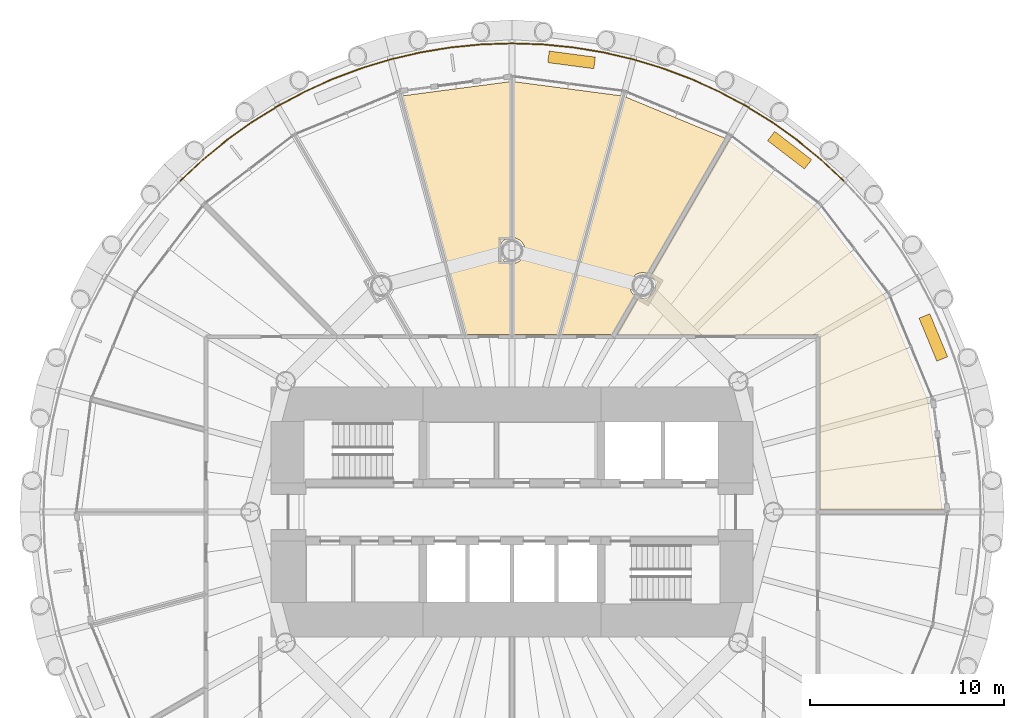
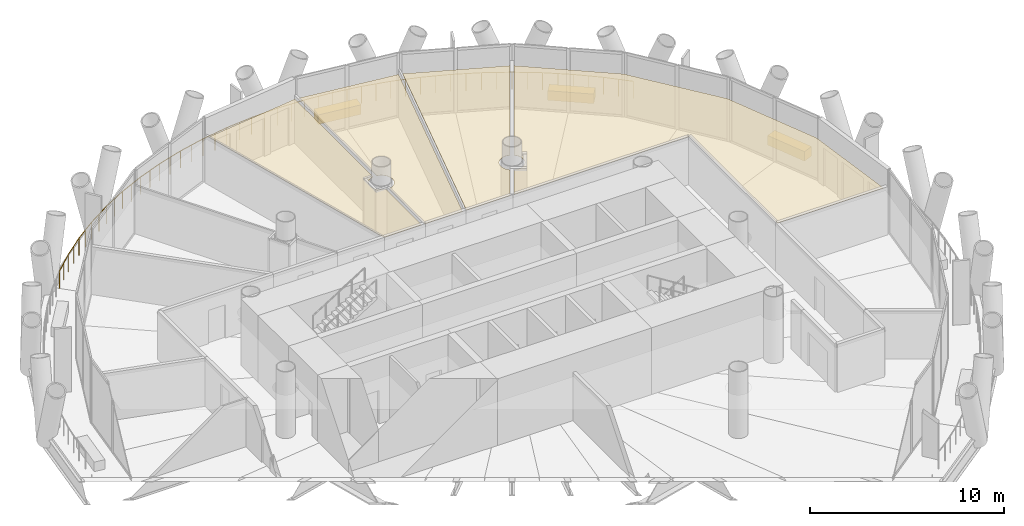
# One storey, part 15 of 15: 7 coverings, 1 railing.
"""IFC4 building model written with IfcOpenShell, lengths in metres."""

from ifc_helpers import new_model, si_unit, direction, frame, origin, origin_2d, place, context, subcontext, project, spatial, polyline, rectangle, circle, outline, extrude, material, layer, layer_set, type_object, element, save


model = new_model("IFC4")

# Units and contexts
model_context = context("Model", 3, precision=1e-05, world=origin(), true_north=direction((0.0, 1.0)))
body_context = subcontext(model_context, "Body", "Model", "MODEL_VIEW")
ifc_project = project(units=[si_unit("LENGTHUNIT", "METRE"), si_unit("AREAUNIT", "SQUARE_METRE"), si_unit("VOLUMEUNIT", "CUBIC_METRE"), si_unit("PLANEANGLEUNIT", "RADIAN"), si_unit("MASSUNIT", "GRAM", prefix="KILO")], contexts=[model_context])

# Site, building, storey
site_placement = place(None, origin())
site = spatial("IfcSite", under=ifc_project, at=site_placement, CompositionType="ELEMENT")
building_placement = place(site_placement, origin())
building = spatial("IfcBuilding", under=site, at=building_placement, Name="Qaws Media Tower", CompositionType="ELEMENT")
storey_placement = place(building_placement, frame((0.0, 0.0, 143.60009765625)))
storey = spatial("IfcBuildingStorey", under=building, at=storey_placement, Name="L32", CompositionType="ELEMENT", Elevation=143.60009765625)

# Covering
ifc_material_1 = material(Name="40 perforated acoustic panels with mineral wool backing, suspended", Category="mineral fibre")
ifc_layer_1 = layer(ifc_material_1, 0.0400390625)
ifc_layer_set_1 = layer_set([ifc_layer_1], Name="Acoustic panel ceiling 40")
covering_type_1 = type_object("IfcCoveringType", Name="Acoustic panel ceiling 40", PredefinedType="CEILING", material=ifc_layer_set_1)
covering_1_placement = place(storey_placement, frame((0.0, 0.0, 2.849853515625)))
element("IfcCovering", 1, at=covering_1_placement, inside=storey, type_object=covering_type_1, Name="CL3 ceiling L32-05 Meeting room", PredefinedType="CEILING", context=body_context, shape_type="SweptSolid", body=[
    extrude(outline(polyline([(59.887451171875, 72.220458984375), (59.887451171875, 64.1572265625), (59.8271484375, 64.145263671875), (59.744384765625, 64.1171875), (59.666015625, 64.07861328125), (59.59326171875, 64.030029296875), (59.527587890625, 63.972412109375), (59.469970703125, 63.90673828125), (59.42138671875, 63.833984375), (59.3828125, 63.755615234375), (59.354736328125, 63.6728515625), (59.337646484375, 63.587158203125), (59.33203125, 63.5), (59.337646484375, 63.412841796875), (59.354736328125, 63.3271484375), (59.3828125, 63.244384765625), (59.42138671875, 63.166015625), (59.469970703125, 63.09326171875), (59.527587890625, 63.027587890625), (59.59326171875, 62.969970703125), (59.666015625, 62.92138671875), (59.744384765625, 62.8828125), (59.8271484375, 62.854736328125), (59.887451171875, 62.8427734375), (59.887451171875, 59.16259765625), (57.661376953125, 59.16259765625), (54.357666015625, 71.492431640625), (59.887451171875, 72.220458984375)])), origin(), (0.0, 0.0, 1.0), 0.0400390625),
])

# Railing
ifc_material_2 = material(Name="Stainless steel and glass guard", Category="steel")
railing_type = type_object("IfcRailingType", Name="Balcony guard 1100", PredefinedType="GUARDRAIL", material=ifc_material_2)
railing_placement = place(storey_placement, frame((77.112060546875, 67.112060546875, 0.0)))
element("IfcRailing", 2, at=railing_placement, inside=storey, type_object=railing_type, Name="GR1 balcony guard L32-1", PredefinedType="GUARDRAIL", context=body_context, shape_type="SweptSolid", body=[
    extrude(circle(Radius=0.02392578125, at=origin_2d()), frame((0.0, 0.0, 1.076171875), z_axis=(-0.729926480872, 0.683525663397, 0.0), x_axis=(-0.683525663397, -0.729926480872, 0.0)), (0.0, 0.0, 1.0), 1.583740234375),
    extrude(circle(Radius=0.02392578125, at=origin_2d()), frame((-1.156005859375, 1.08251953125, 1.076171875), z_axis=(-0.773001642284, 0.634404020343, 0.0), x_axis=(-0.634404020343, -0.773001642284, 0.0)), (0.0, 0.0, 1.0), 1.58349609375),
    extrude(circle(Radius=0.02392578125, at=origin_2d()), frame((-2.380126953125, 2.087158203125, 1.076171875), z_axis=(-0.81283659414, 0.582491777819, 0.0), x_axis=(-0.582491777819, -0.81283659414, 0.0)), (0.0, 0.0, 1.0), 1.58349609375),
    extrude(circle(Radius=0.02392578125, at=origin_2d()), frame((-3.667236328125, 3.009521484375, 1.076171875), z_axis=(-0.849208715075, 0.528057343706, 0.0), x_axis=(-0.528057343706, -0.849208715075, 0.0)), (0.0, 0.0, 1.0), 1.58349609375),
    extrude(circle(Radius=0.02392578125, at=origin_2d()), frame((-5.011962890625, 3.845703125, 1.076171875), z_axis=(-0.881917304281, 0.471404145515, 0.0), x_axis=(-0.471404145515, -0.881917304281, 0.0)), (0.0, 0.0, 1.0), 1.583740234375),
    extrude(circle(Radius=0.02392578125, at=origin_2d()), frame((-6.40869140625, 4.59228515625, 1.076171875), z_axis=(-0.910856868467, 0.412722382682, 0.0), x_axis=(-0.412722382682, -0.910856868467, 0.0)), (0.0, 0.0, 1.0), 1.58349609375),
    extrude(circle(Radius=0.02392578125, at=origin_2d()), frame((-7.85107421875, 5.245849609375, 1.076171875), z_axis=(-0.935904026053, 0.35225509793, 0.0), x_axis=(-0.35225509793, -0.935904026053, 0.0)), (0.0, 0.0, 1.0), 1.583740234375),
    extrude(circle(Radius=0.02392578125, at=origin_2d()), frame((-9.333251953125, 5.8037109375, 1.076171875), z_axis=(-0.95693489086, 0.290302625985, 0.0), x_axis=(-0.290302625985, -0.95693489086, 0.0)), (0.0, 0.0, 1.0), 1.58349609375),
    extrude(circle(Radius=0.02392578125, at=origin_2d()), frame((-10.8486328125, 6.263427734375, 1.076171875), z_axis=(-0.973874177295, 0.227088279746, 0.0), x_axis=(-0.227088279746, -0.973874177295, 0.0)), (0.0, 0.0, 1.0), 1.58349609375),
    extrude(circle(Radius=0.02392578125, at=origin_2d()), frame((-12.390869140625, 6.623046875, 1.076171875), z_axis=(-0.986659290868, 0.162798782993, 0.0), x_axis=(-0.162798782993, -0.986659290868, 0.0)), (0.0, 0.0, 1.0), 1.583740234375),
    extrude(circle(Radius=0.02392578125, at=origin_2d()), frame((-13.953369140625, 6.880859375, 1.076171875), z_axis=(-0.995181146918, 0.098053479386, 0.0), x_axis=(-0.098053479386, -0.995181146918, 0.0)), (0.0, 0.0, 1.0), 1.58349609375),
    extrude(circle(Radius=0.02392578125, at=origin_2d()), frame((-15.529296875, 7.0361328125, 1.076171875), z_axis=(-0.999465753674, 0.032683439731, 0.0), x_axis=(-0.032683439731, -0.999465753674, 0.0)), (0.0, 0.0, 1.0), 1.58349609375),
    extrude(circle(Radius=0.02392578125, at=origin_2d()), frame((-17.112060546875, 7.087890625, 1.076171875), z_axis=(-0.999465753674, -0.032683439731, 0.0), x_axis=(0.032683439731, -0.999465753674, 0.0)), (0.0, 0.0, 1.0), 1.58349609375),
    extrude(circle(Radius=0.02392578125, at=origin_2d()), frame((-18.69482421875, 7.0361328125, 1.076171875), z_axis=(-0.995181146918, -0.098053479386, 0.0), x_axis=(0.098053479386, -0.995181146918, 0.0)), (0.0, 0.0, 1.0), 1.58349609375),
    extrude(circle(Radius=0.02392578125, at=origin_2d()), frame((-20.270751953125, 6.880859375, 1.076171875), z_axis=(-0.986659290868, -0.162798782993, 0.0), x_axis=(0.162798782993, -0.986659290868, 0.0)), (0.0, 0.0, 1.0), 1.583740234375),
    extrude(circle(Radius=0.02392578125, at=origin_2d()), frame((-21.833251953125, 6.623046875, 1.076171875), z_axis=(-0.973874177295, -0.227088279746, 0.0), x_axis=(0.227088279746, -0.973874177295, 0.0)), (0.0, 0.0, 1.0), 1.58349609375),
    extrude(circle(Radius=0.02392578125, at=origin_2d()), frame((-23.37548828125, 6.263427734375, 1.076171875), z_axis=(-0.95693489086, -0.290302625985, 0.0), x_axis=(0.290302625985, -0.95693489086, 0.0)), (0.0, 0.0, 1.0), 1.58349609375),
    extrude(circle(Radius=0.02392578125, at=origin_2d()), frame((-24.890869140625, 5.8037109375, 1.076171875), z_axis=(-0.935904026053, -0.35225509793, 0.0), x_axis=(0.35225509793, -0.935904026053, 0.0)), (0.0, 0.0, 1.0), 1.583740234375),
    extrude(circle(Radius=0.02392578125, at=origin_2d()), frame((-26.373046875, 5.245849609375, 1.076171875), z_axis=(-0.910856868467, -0.412722382682, 0.0), x_axis=(0.412722382682, -0.910856868467, 0.0)), (0.0, 0.0, 1.0), 1.58349609375),
    extrude(circle(Radius=0.02392578125, at=origin_2d()), frame((-27.8154296875, 4.59228515625, 1.076171875), z_axis=(-0.881917304281, -0.471404145515, 0.0), x_axis=(0.471404145515, -0.881917304281, 0.0)), (0.0, 0.0, 1.0), 1.583740234375),
    extrude(circle(Radius=0.02392578125, at=origin_2d()), frame((-29.212158203125, 3.845703125, 1.076171875), z_axis=(-0.849208715075, -0.528057343706, 0.0), x_axis=(0.528057343706, -0.849208715075, 0.0)), (0.0, 0.0, 1.0), 1.58349609375),
    extrude(circle(Radius=0.02392578125, at=origin_2d()), frame((-30.556884765625, 3.009521484375, 1.076171875), z_axis=(-0.81283659414, -0.582491777819, 0.0), x_axis=(0.582491777819, -0.81283659414, 0.0)), (0.0, 0.0, 1.0), 1.58349609375),
    extrude(circle(Radius=0.02392578125, at=origin_2d()), frame((-31.843994140625, 2.087158203125, 1.076171875), z_axis=(-0.773001642284, -0.634404020343, 0.0), x_axis=(0.634404020343, -0.773001642284, 0.0)), (0.0, 0.0, 1.0), 1.58349609375),
    extrude(circle(Radius=0.02392578125, at=origin_2d()), frame((-33.068115234375, 1.08251953125, 1.076171875), z_axis=(-0.729926480872, -0.683525663397, 0.0), x_axis=(0.683525663397, -0.729926480872, 0.0)), (0.0, 0.0, 1.0), 1.583740234375),
    extrude(circle(Radius=0.02099609375, at=origin_2d()), origin(), (0.0, 0.0, 1.0), 1.052001953125),
    extrude(circle(Radius=0.02099609375, at=origin_2d()), frame((-0.578125, 0.541259765625, 0.0)), (0.0, 0.0, 1.0), 1.052001953125),
    extrude(circle(Radius=0.02099609375, at=origin_2d()), frame((-1.156005859375, 1.08251953125, 0.0)), (0.0, 0.0, 1.0), 1.052001953125),
    extrude(circle(Radius=0.02099609375, at=origin_2d()), frame((-1.76806640625, 1.5849609375, 0.0)), (0.0, 0.0, 1.0), 1.052001953125),
    extrude(circle(Radius=0.02099609375, at=origin_2d()), frame((-2.380126953125, 2.087158203125, 0.0)), (0.0, 0.0, 1.0), 1.052001953125),
    extrude(circle(Radius=0.02099609375, at=origin_2d()), frame((-3.023681640625, 2.54833984375, 0.0)), (0.0, 0.0, 1.0), 1.052001953125),
    extrude(circle(Radius=0.02099609375, at=origin_2d()), frame((-3.667236328125, 3.009521484375, 0.0)), (0.0, 0.0, 1.0), 1.052001953125),
    extrude(circle(Radius=0.02099609375, at=origin_2d()), frame((-4.339599609375, 3.427734375, 0.0)), (0.0, 0.0, 1.0), 1.052001953125),
    extrude(circle(Radius=0.02099609375, at=origin_2d()), frame((-5.011962890625, 3.845703125, 0.0)), (0.0, 0.0, 1.0), 1.052001953125),
    extrude(circle(Radius=0.02099609375, at=origin_2d()), frame((-5.71044921875, 4.218994140625, 0.0)), (0.0, 0.0, 1.0), 1.052001953125),
    extrude(circle(Radius=0.02099609375, at=origin_2d()), frame((-6.40869140625, 4.59228515625, 0.0)), (0.0, 0.0, 1.0), 1.052001953125),
    extrude(circle(Radius=0.02099609375, at=origin_2d()), frame((-7.1298828125, 4.9189453125, 0.0)), (0.0, 0.0, 1.0), 1.052001953125),
    extrude(circle(Radius=0.02099609375, at=origin_2d()), frame((-7.85107421875, 5.245849609375, 0.0)), (0.0, 0.0, 1.0), 1.052001953125),
    extrude(circle(Radius=0.02099609375, at=origin_2d()), frame((-8.59228515625, 5.52490234375, 0.0)), (0.0, 0.0, 1.0), 1.052001953125),
    extrude(circle(Radius=0.02099609375, at=origin_2d()), frame((-9.333251953125, 5.8037109375, 0.0)), (0.0, 0.0, 1.0), 1.052001953125),
    extrude(circle(Radius=0.02099609375, at=origin_2d()), frame((-10.0908203125, 6.03369140625, 0.0)), (0.0, 0.0, 1.0), 1.052001953125),
    extrude(circle(Radius=0.02099609375, at=origin_2d()), frame((-10.8486328125, 6.263427734375, 0.0)), (0.0, 0.0, 1.0), 1.052001953125),
    extrude(circle(Radius=0.02099609375, at=origin_2d()), frame((-11.61962890625, 6.443359375, 0.0)), (0.0, 0.0, 1.0), 1.052001953125),
    extrude(circle(Radius=0.02099609375, at=origin_2d()), frame((-12.390869140625, 6.623046875, 0.0)), (0.0, 0.0, 1.0), 1.052001953125),
    extrude(circle(Radius=0.02099609375, at=origin_2d()), frame((-13.172119140625, 6.751953125, 0.0)), (0.0, 0.0, 1.0), 1.052001953125),
    extrude(circle(Radius=0.02099609375, at=origin_2d()), frame((-13.953369140625, 6.880859375, 0.0)), (0.0, 0.0, 1.0), 1.052001953125),
    extrude(circle(Radius=0.02099609375, at=origin_2d()), frame((-14.7412109375, 6.95849609375, 0.0)), (0.0, 0.0, 1.0), 1.052001953125),
    extrude(circle(Radius=0.02099609375, at=origin_2d()), frame((-15.529296875, 7.0361328125, 0.0)), (0.0, 0.0, 1.0), 1.052001953125),
    extrude(circle(Radius=0.02099609375, at=origin_2d()), frame((-16.32080078125, 7.06201171875, 0.0)), (0.0, 0.0, 1.0), 1.052001953125),
    extrude(circle(Radius=0.02099609375, at=origin_2d()), frame((-17.112060546875, 7.087890625, 0.0)), (0.0, 0.0, 1.0), 1.052001953125),
    extrude(circle(Radius=0.02099609375, at=origin_2d()), frame((-17.9033203125, 7.06201171875, 0.0)), (0.0, 0.0, 1.0), 1.052001953125),
    extrude(circle(Radius=0.02099609375, at=origin_2d()), frame((-18.69482421875, 7.0361328125, 0.0)), (0.0, 0.0, 1.0), 1.052001953125),
    extrude(circle(Radius=0.02099609375, at=origin_2d()), frame((-19.48291015625, 6.95849609375, 0.0)), (0.0, 0.0, 1.0), 1.052001953125),
    extrude(circle(Radius=0.02099609375, at=origin_2d()), frame((-20.270751953125, 6.880859375, 0.0)), (0.0, 0.0, 1.0), 1.052001953125),
    extrude(circle(Radius=0.02099609375, at=origin_2d()), frame((-21.052001953125, 6.751953125, 0.0)), (0.0, 0.0, 1.0), 1.052001953125),
    extrude(circle(Radius=0.02099609375, at=origin_2d()), frame((-21.833251953125, 6.623046875, 0.0)), (0.0, 0.0, 1.0), 1.052001953125),
    extrude(circle(Radius=0.02099609375, at=origin_2d()), frame((-22.6044921875, 6.443359375, 0.0)), (0.0, 0.0, 1.0), 1.052001953125),
    extrude(circle(Radius=0.02099609375, at=origin_2d()), frame((-23.37548828125, 6.263427734375, 0.0)), (0.0, 0.0, 1.0), 1.052001953125),
    extrude(circle(Radius=0.02099609375, at=origin_2d()), frame((-24.13330078125, 6.03369140625, 0.0)), (0.0, 0.0, 1.0), 1.052001953125),
    extrude(circle(Radius=0.02099609375, at=origin_2d()), frame((-24.890869140625, 5.8037109375, 0.0)), (0.0, 0.0, 1.0), 1.052001953125),
    extrude(circle(Radius=0.02099609375, at=origin_2d()), frame((-25.6318359375, 5.52490234375, 0.0)), (0.0, 0.0, 1.0), 1.052001953125),
    extrude(circle(Radius=0.02099609375, at=origin_2d()), frame((-26.373046875, 5.245849609375, 0.0)), (0.0, 0.0, 1.0), 1.052001953125),
    extrude(circle(Radius=0.02099609375, at=origin_2d()), frame((-27.09423828125, 4.9189453125, 0.0)), (0.0, 0.0, 1.0), 1.052001953125),
    extrude(circle(Radius=0.02099609375, at=origin_2d()), frame((-27.8154296875, 4.59228515625, 0.0)), (0.0, 0.0, 1.0), 1.052001953125),
    extrude(circle(Radius=0.02099609375, at=origin_2d()), frame((-28.513671875, 4.218994140625, 0.0)), (0.0, 0.0, 1.0), 1.052001953125),
    extrude(circle(Radius=0.02099609375, at=origin_2d()), frame((-29.212158203125, 3.845703125, 0.0)), (0.0, 0.0, 1.0), 1.052001953125),
    extrude(circle(Radius=0.02099609375, at=origin_2d()), frame((-29.884521484375, 3.427734375, 0.0)), (0.0, 0.0, 1.0), 1.052001953125),
    extrude(circle(Radius=0.02099609375, at=origin_2d()), frame((-30.556884765625, 3.009521484375, 0.0)), (0.0, 0.0, 1.0), 1.052001953125),
    extrude(circle(Radius=0.02099609375, at=origin_2d()), frame((-31.200439453125, 2.54833984375, 0.0)), (0.0, 0.0, 1.0), 1.052001953125),
    extrude(circle(Radius=0.02099609375, at=origin_2d()), frame((-31.843994140625, 2.087158203125, 0.0)), (0.0, 0.0, 1.0), 1.052001953125),
    extrude(circle(Radius=0.02099609375, at=origin_2d()), frame((-32.4560546875, 1.5849609375, 0.0)), (0.0, 0.0, 1.0), 1.052001953125),
    extrude(circle(Radius=0.02099609375, at=origin_2d()), frame((-33.068115234375, 1.08251953125, 0.0)), (0.0, 0.0, 1.0), 1.052001953125),
    extrude(circle(Radius=0.02099609375, at=origin_2d()), frame((-33.64599609375, 0.541259765625, 0.0)), (0.0, 0.0, 1.0), 1.052001953125),
    extrude(circle(Radius=0.02099609375, at=origin_2d()), frame((-34.22412109375, 0.0, 0.0)), (0.0, 0.0, 1.0), 1.052001953125),
])

# Coverings
ifc_material_3 = material(Name="600 x 600 mineral fibre tiles in exposed grid, suspended", Category="mineral fibre")
ifc_layer_2 = layer(ifc_material_3, 0.02001953125)
ifc_layer_set_2 = layer_set([ifc_layer_2], Name="Mineral fibre tile ceiling 20")
covering_type_2 = type_object("IfcCoveringType", Name="Mineral fibre tile ceiling 20", PredefinedType="CEILING", material=ifc_layer_set_2)
covering_2_placement = place(storey_placement, frame((0.0, 0.0, 2.849853515625)))
element("IfcCovering", 3, at=covering_2_placement, inside=storey, type_object=covering_type_2, Name="CL1 ceiling L32-02 Paralegal office", PredefinedType="CEILING", context=body_context, shape_type="SweptSolid", body=[
    extrude(outline(polyline([(75.72265625, 65.72265625), (79.25634765625, 61.11767578125), (81.4775390625, 55.7548828125), (82.220458984375, 50.112548828125), (75.91259765625, 50.112548828125), (75.91259765625, 59.16259765625), (65.419921875, 59.16259765625), (66.518798828125, 61.06591796875), (66.5771484375, 61.046142578125), (66.662841796875, 61.029052734375), (66.75, 61.023193359375), (66.837158203125, 61.029052734375), (66.9228515625, 61.046142578125), (67.005615234375, 61.07421875), (67.083984375, 61.11279296875), (67.15673828125, 61.161376953125), (67.222412109375, 61.218994140625), (67.280029296875, 61.28466796875), (67.32861328125, 61.357421875), (67.3671875, 61.435791015625), (67.395263671875, 61.5185546875), (67.412353515625, 61.604248046875), (67.41796875, 61.69140625), (67.412353515625, 61.778564453125), (67.395263671875, 61.8642578125), (67.3671875, 61.947021484375), (67.32861328125, 62.025390625), (67.280029296875, 62.097900390625), (67.222412109375, 62.163818359375), (67.176025390625, 62.204345703125), (71.20751953125, 69.187255859375), (75.72265625, 65.72265625)])), origin(), (0.0, 0.0, 1.0), 0.02001953125),
])
covering_3_placement = place(storey_placement, frame((0.0, 0.0, 2.849853515625)))
element("IfcCovering", 4, at=covering_3_placement, inside=storey, type_object=covering_type_2, Name="CL1 ceiling L32-03 Office", PredefinedType="CEILING", context=body_context, shape_type="SweptSolid", body=[
    extrude(outline(polyline([(71.0126953125, 69.2998046875), (66.981201171875, 62.31689453125), (66.9228515625, 62.336669921875), (66.837158203125, 62.353515625), (66.75, 62.359375), (66.662841796875, 62.353515625), (66.5771484375, 62.336669921875), (66.494384765625, 62.30859375), (66.416015625, 62.269775390625), (66.34326171875, 62.22119140625), (66.277587890625, 62.163818359375), (66.219970703125, 62.097900390625), (66.17138671875, 62.025390625), (66.1328125, 61.947021484375), (66.104736328125, 61.8642578125), (66.087646484375, 61.778564453125), (66.08203125, 61.69140625), (66.087646484375, 61.604248046875), (66.104736328125, 61.5185546875), (66.1328125, 61.435791015625), (66.17138671875, 61.357421875), (66.219970703125, 61.28466796875), (66.277587890625, 61.218994140625), (66.323974609375, 61.178466796875), (65.16015625, 59.16259765625), (62.571533203125, 59.16259765625), (65.859619140625, 71.43408203125), (71.0126953125, 69.2998046875)])), origin(), (0.0, 0.0, 1.0), 0.02001953125),
])
covering_4_placement = place(storey_placement, frame((0.0, 0.0, 2.849853515625)))
element("IfcCovering", 5, at=covering_4_placement, inside=storey, type_object=covering_type_2, Name="CL1 ceiling L32-04 Office", PredefinedType="CEILING", context=body_context, shape_type="SweptSolid", body=[
    extrude(outline(polyline([(65.642333984375, 71.492431640625), (62.338623046875, 59.16259765625), (60.112548828125, 59.16259765625), (60.112548828125, 62.8427734375), (60.1728515625, 62.854736328125), (60.255615234375, 62.8828125), (60.333984375, 62.92138671875), (60.40673828125, 62.969970703125), (60.472412109375, 63.027587890625), (60.530029296875, 63.09326171875), (60.57861328125, 63.166015625), (60.6171875, 63.244384765625), (60.645263671875, 63.3271484375), (60.662353515625, 63.412841796875), (60.66796875, 63.5), (60.662353515625, 63.587158203125), (60.645263671875, 63.6728515625), (60.6171875, 63.755615234375), (60.57861328125, 63.833984375), (60.530029296875, 63.90673828125), (60.472412109375, 63.972412109375), (60.40673828125, 64.030029296875), (60.333984375, 64.07861328125), (60.255615234375, 64.1171875), (60.1728515625, 64.145263671875), (60.112548828125, 64.1572265625), (60.112548828125, 72.220458984375), (65.642333984375, 71.492431640625)])), origin(), (0.0, 0.0, 1.0), 0.02001953125),
])
ifc_material_4 = material(Name="Precast concrete planter with trailing planting", Category="concrete")
ifc_layer_3 = layer(ifc_material_4, 0.60009765625)
ifc_layer_set_3 = layer_set([ifc_layer_3], Name="Planter 2400x600")
covering_type_3 = type_object("IfcCoveringType", Name="Planter 2400x600", PredefinedType="USERDEFINED", material=ifc_layer_set_3)
for number, where, z_axis, x_axis, name in (
    (6, (81.75732421875, 59.01220703125, -0.000244140625), (0.0, 0.0, 1.0), (-0.382683432365, 0.923879532511, 0.0), "PL1 balcony planter L32-01"),
    (7, (74.33642578125, 68.683349609375, -0.000244140625), (0.0, 0.0, 1.0), (-0.793353340291, 0.608761429009, 0.0), "PL1 balcony planter L32-02"),
    (8, (63.073974609375, 73.3486328125, -0.000244140625), (0.0, 0.0, 1.0), (-0.991444861374, 0.13052619222, 0.0), "PL1 balcony planter L32-03"),
):
    element("IfcCovering", number, at=place(storey_placement, frame(where, z_axis=z_axis, x_axis=x_axis)), inside=storey, type_object=covering_type_3, Name=name, ObjectType="PLANTER", PredefinedType="USERDEFINED", context=body_context, shape_type="SweptSolid", body=[
        extrude(rectangle(XDim=2.39990234375, YDim=0.60009765625, at=origin_2d()), origin(), (0.0, 0.0, 1.0), 0.60009765625),
    ])

save(model, "model.ifc")
